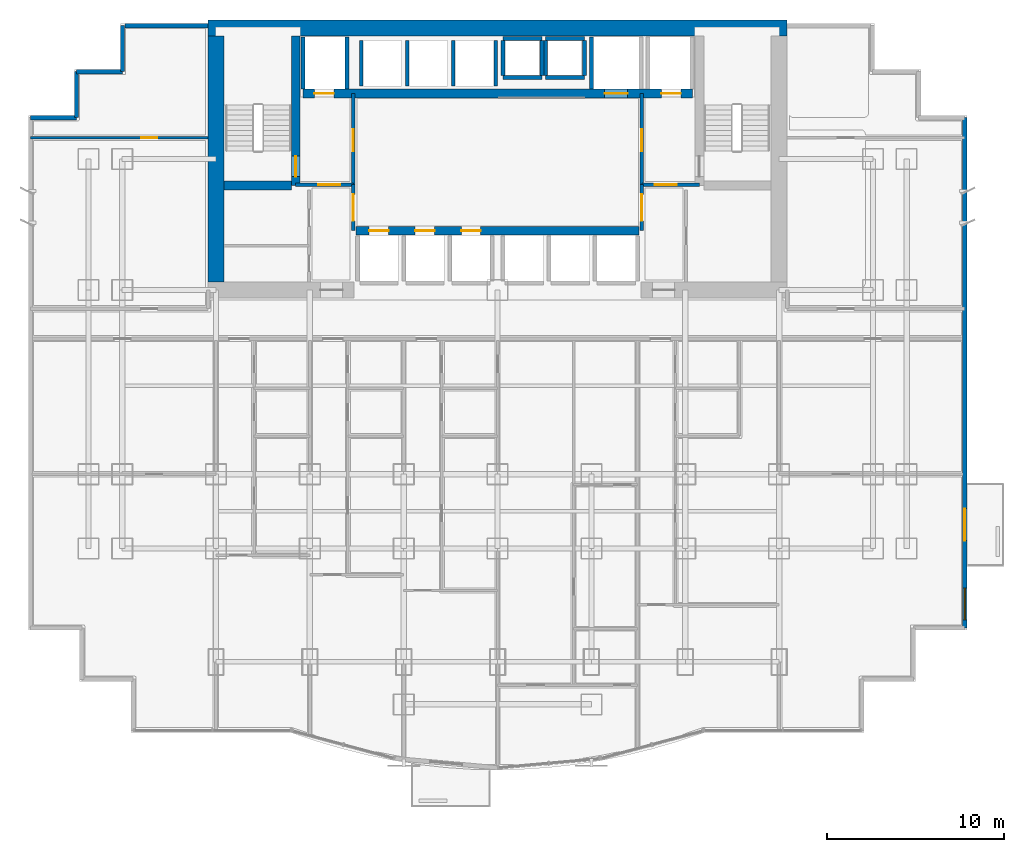
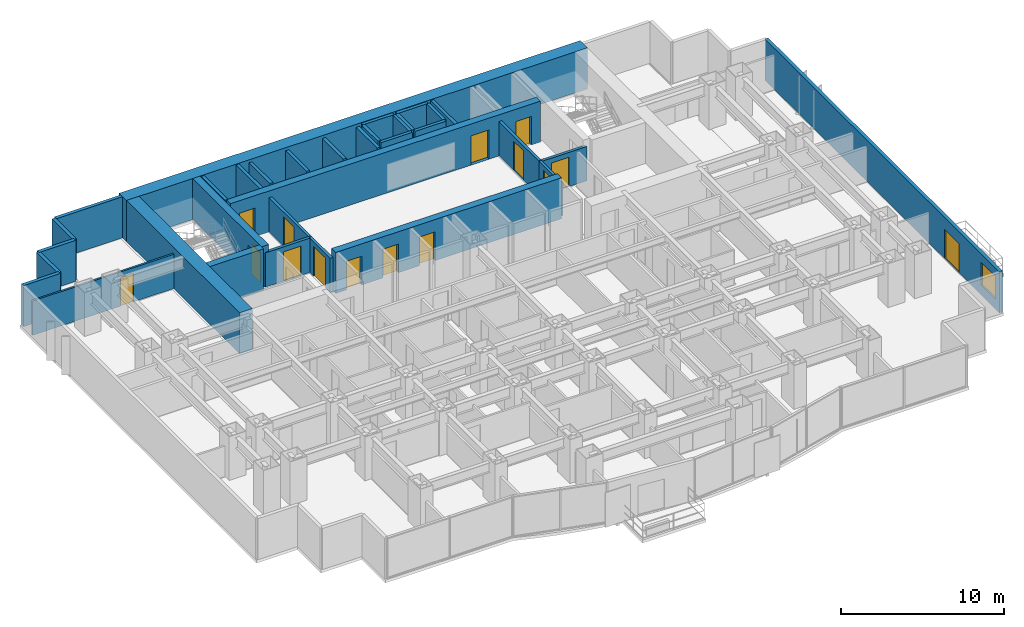
# One storey, part 7 of 10: 34 walls, 15 doors, 1 window, 16 openings.
"""IFC4 building model written with IfcOpenShell, lengths in metres."""

from ifc_helpers import new_model, si_unit, direction, frame, frame_2d, origin, place, context, subcontext, project, spatial, rectangle, extrude, material, layer, layer_set, type_object, element, fill, save


model = new_model("IFC4")

# Units and contexts
model_context = context("Model", 3, precision=1e-05, world=origin(), true_north=direction((0.0, 1.0)))
body_context = subcontext(model_context, "Body", "Model", "MODEL_VIEW")
ifc_project = project(units=[si_unit("LENGTHUNIT", "METRE"), si_unit("AREAUNIT", "SQUARE_METRE"), si_unit("VOLUMEUNIT", "CUBIC_METRE"), si_unit("PLANEANGLEUNIT", "RADIAN"), si_unit("MASSUNIT", "GRAM", prefix="KILO")], contexts=[model_context])

# Site, building, storey
site_placement = place(None, origin())
site = spatial("IfcSite", under=ifc_project, at=site_placement, CompositionType="ELEMENT")
building_placement = place(site_placement, origin())
building = spatial("IfcBuilding", under=site, at=building_placement, Name="Qianlan Lanfeng Residences", CompositionType="ELEMENT")
storey_placement = place(building_placement, frame((0.0, 0.0, 34.10009765625)))
storey = spatial("IfcBuildingStorey", under=building, at=storey_placement, Name="L08", CompositionType="ELEMENT", Elevation=34.10009765625)

# Wall, opening, door
ifc_material_1 = material(Name="Concrete C70", Category="concrete")
ifc_layer_1 = layer(ifc_material_1, 0.5)
ifc_layer_set_1 = layer_set([ifc_layer_1], Name="Concrete C70")
wall_type_1 = type_object("IfcWallType", Name="CW-RC-500", PredefinedType="SHEAR", material=ifc_layer_set_1)
wall_1_placement = place(storey_placement, frame((15.10009765625, 31.10009765625, 0.0), z_axis=(0.0, 0.0, 1.0), x_axis=(0.0, 1.0, 0.0)))
wall_1 = element("IfcWall", 1, at=wall_1_placement, inside=storey, type_object=wall_type_1, Name="L08 Core Shear Wall ST1E", PredefinedType="SHEAR", context=body_context, shape_type="SweptSolid", body=[
    extrude(rectangle(XDim=8.449951171875, YDim=0.5, at=frame_2d((4.22509765625, 0.0))), origin(), (0.0, 0.0, 1.0), 3.079833984375),
])
opening_1_placement = place(wall_1_placement, frame((0.510009765625, 0.0, 0.0)))
opening_1 = element("IfcOpeningElement", 2, at=opening_1_placement, cuts=wall_1, Name="Opening L08-D07", PredefinedType="OPENING", context=body_context, shape_type="SweptSolid", body=[
    extrude(rectangle(XDim=1.14990234375, YDim=2.199951171875, at=frame_2d((0.574951171875, 1.10009765625))), frame((0.0, 0.260009765625, 0.0), z_axis=(0.0, -1.0, 0.0), x_axis=(1.0, 0.0, 0.0)), (0.0, 0.0, 1.0), 0.52001953125),
])
ifc_material_2 = material(Name="Painted Galvanised Steel Fire Door", Category="steel")
door_type_1 = type_object("IfcDoorType", Name="DT-ST1", OperationType="NOTDEFINED", PredefinedType="DOOR", material=ifc_material_2)
door_1_placement = place(opening_1_placement, frame((1.14990234375, 0.0, 0.0), z_axis=(0.0, 0.0, 1.0), x_axis=(-1.0, 0.0, 0.0)))
door_1 = element("IfcDoor", 3, at=door_1_placement, inside=storey, type_object=door_type_1, Name="L08 Exit Stair ST-1 Door L08-D07 (DT-ST1)", OperationType="SINGLE_SWING_RIGHT", OverallHeight=2.199951171875, OverallWidth=1.14990234375, PredefinedType="DOOR", context=body_context, shape_type="SweptSolid", body=[
    extrude(rectangle(XDim=1.14990234375, YDim=2.199951171875, at=frame_2d((0.574951171875, 1.10009765625))), frame((0.0, 0.02490234375, 0.0), z_axis=(0.0, -1.0, 0.0), x_axis=(1.0, 0.0, 0.0)), (0.0, 0.0, 1.0), 0.050048828125),
])
fill(opening_1, door_1)

# Wall
wall_2_placement = place(storey_placement, frame((11.050048828125, 31.10009765625, 0.0), z_axis=(0.0, 0.0, 1.0), x_axis=(1.0, 0.0, 0.0)))
element("IfcWall", 4, at=wall_2_placement, inside=storey, type_object=wall_type_1, Name="L08 Core Shear Wall ST1S", PredefinedType="SHEAR", context=body_context, shape_type="SweptSolid", body=[
    extrude(rectangle(XDim=3.800048828125, YDim=0.5, at=frame_2d((1.89990234375, 0.0))), origin(), (0.0, 0.0, 1.0), 3.079833984375),
])

# Wall, openings, doors
wall_3_placement = place(storey_placement, frame((15.5, 36.300048828125, 0.0), z_axis=(0.0, 0.0, 1.0), x_axis=(1.0, 0.0, 0.0)))
wall_3 = element("IfcWall", 5, at=wall_3_placement, inside=storey, type_object=wall_type_1, Name="L08 Core Shear Wall LBN", PredefinedType="SHEAR", context=body_context, shape_type="SweptSolid", body=[
    extrude(rectangle(XDim=22.0, YDim=0.5, at=frame_2d((11.0, 0.0))), origin(), (0.0, 0.0, 1.0), 3.079833984375),
])
opening_2_placement = place(wall_3_placement, frame((0.64990234375, 0.0, 0.0)))
opening_2 = element("IfcOpeningElement", 6, at=opening_2_placement, cuts=wall_3, Name="Opening L08-LD-FFL-1", PredefinedType="OPENING", context=body_context, shape_type="SweptSolid", body=[
    extrude(rectangle(XDim=1.10009765625, YDim=2.14990234375, at=frame_2d((0.550048828125, 1.074951171875))), frame((0.0, 0.260009765625, 0.0), z_axis=(0.0, -1.0, 0.0), x_axis=(1.0, 0.0, 0.0)), (0.0, 0.0, 1.0), 0.52001953125),
])
opening_3_placement = place(wall_3_placement, frame((20.25, 0.0, 0.0)))
opening_3 = element("IfcOpeningElement", 7, at=opening_3_placement, cuts=wall_3, Name="Opening L08-LD-FFL-2", PredefinedType="OPENING", context=body_context, shape_type="SweptSolid", body=[
    extrude(rectangle(XDim=1.10009765625, YDim=2.14990234375, at=frame_2d((0.550048828125, 1.074951171875))), frame((0.0, 0.260009765625, 0.0), z_axis=(0.0, -1.0, 0.0), x_axis=(1.0, 0.0, 0.0)), (0.0, 0.0, 1.0), 0.52001953125),
])
opening_4_placement = place(wall_3_placement, frame((17.050048828125, 0.0, 0.0)))
opening_4 = element("IfcOpeningElement", 8, at=opening_4_placement, cuts=wall_3, Name="Opening L08-LD-SVL-1", PredefinedType="OPENING", context=body_context, shape_type="SweptSolid", body=[
    extrude(rectangle(XDim=1.300048828125, YDim=2.199951171875, at=frame_2d((0.64990234375, 1.10009765625))), frame((0.0, 0.260009765625, 0.0), z_axis=(0.0, -1.0, 0.0), x_axis=(1.0, 0.0, 0.0)), (0.0, 0.0, 1.0), 0.52001953125),
])
ifc_material_3 = material(Name="Brushed Stainless Steel Sliding Lift Door", Category="steel")
door_type_2 = type_object("IfcDoorType", Name="LD-01", OperationType="NOTDEFINED", PredefinedType="DOOR", material=ifc_material_3)
door_2_placement = place(opening_2_placement, frame((1.10009765625, 0.0, 0.0), z_axis=(0.0, 0.0, 1.0), x_axis=(-1.0, 0.0, 0.0)))
door_2 = element("IfcDoor", 9, at=door_2_placement, inside=storey, type_object=door_type_2, Name="L08 Elevator FFL-1 Sliding Landing Door", OperationType="DOUBLE_DOOR_SLIDING", OverallHeight=2.14990234375, OverallWidth=1.10009765625, PredefinedType="DOOR", context=body_context, shape_type="SweptSolid", body=[
    extrude(rectangle(XDim=1.10009765625, YDim=2.14990234375, at=frame_2d((0.550048828125, 1.074951171875))), frame((0.0, 0.02490234375, 0.0), z_axis=(0.0, -1.0, 0.0), x_axis=(1.0, 0.0, 0.0)), (0.0, 0.0, 1.0), 0.050048828125),
])
fill(opening_2, door_2)
door_3_placement = place(opening_3_placement, frame((1.10009765625, 0.0, 0.0), z_axis=(0.0, 0.0, 1.0), x_axis=(-1.0, 0.0, 0.0)))
door_3 = element("IfcDoor", 10, at=door_3_placement, inside=storey, type_object=door_type_2, Name="L08 Elevator FFL-2 Sliding Landing Door", OperationType="DOUBLE_DOOR_SLIDING", OverallHeight=2.14990234375, OverallWidth=1.10009765625, PredefinedType="DOOR", context=body_context, shape_type="SweptSolid", body=[
    extrude(rectangle(XDim=1.10009765625, YDim=2.14990234375, at=frame_2d((0.550048828125, 1.074951171875))), frame((0.0, 0.02490234375, 0.0), z_axis=(0.0, -1.0, 0.0), x_axis=(1.0, 0.0, 0.0)), (0.0, 0.0, 1.0), 0.050048828125),
])
fill(opening_3, door_3)
door_type_3 = type_object("IfcDoorType", Name="LD-02", OperationType="NOTDEFINED", PredefinedType="DOOR", material=ifc_material_3)
door_4_placement = place(opening_4_placement, frame((1.300048828125, 0.0, 0.0), z_axis=(0.0, 0.0, 1.0), x_axis=(-1.0, 0.0, 0.0)))
door_4 = element("IfcDoor", 11, at=door_4_placement, inside=storey, type_object=door_type_3, Name="L08 Elevator SVL-1 Sliding Landing Door", OperationType="DOUBLE_DOOR_SLIDING", OverallHeight=2.199951171875, OverallWidth=1.300048828125, PredefinedType="DOOR", context=body_context, shape_type="SweptSolid", body=[
    extrude(rectangle(XDim=1.300048828125, YDim=2.199951171875, at=frame_2d((0.64990234375, 1.10009765625))), frame((0.0, 0.02490234375, 0.0), z_axis=(0.0, -1.0, 0.0), x_axis=(1.0, 0.0, 0.0)), (0.0, 0.0, 1.0), 0.050048828125),
])
fill(opening_4, door_4)

wall_4_placement = place(storey_placement, frame((18.5, 28.550048828125, 0.0), z_axis=(0.0, 0.0, 1.0), x_axis=(1.0, 0.0, 0.0)))
wall_4 = element("IfcWall", 12, at=wall_4_placement, inside=storey, type_object=wall_type_1, Name="L08 Core Shear Wall LBS", PredefinedType="SHEAR", context=body_context, shape_type="SweptSolid", body=[
    extrude(rectangle(XDim=16.0, YDim=0.5, at=frame_2d((8.0, 0.0))), origin(), (0.0, 0.0, 1.0), 3.079833984375),
])
opening_5_placement = place(wall_4_placement, frame((0.75, 0.0, 0.0)))
opening_5 = element("IfcOpeningElement", 13, at=opening_5_placement, cuts=wall_4, Name="Opening L08-LD-PL-L1", PredefinedType="OPENING", context=body_context, shape_type="SweptSolid", body=[
    extrude(rectangle(XDim=1.10009765625, YDim=2.14990234375, at=frame_2d((0.550048828125, 1.074951171875))), frame((0.0, 0.260009765625, 0.0), z_axis=(0.0, -1.0, 0.0), x_axis=(1.0, 0.0, 0.0)), (0.0, 0.0, 1.0), 0.52001953125),
])
opening_6_placement = place(wall_4_placement, frame((3.35009765625, 0.0, 0.0)))
opening_6 = element("IfcOpeningElement", 14, at=opening_6_placement, cuts=wall_4, Name="Opening L08-LD-PL-L2", PredefinedType="OPENING", context=body_context, shape_type="SweptSolid", body=[
    extrude(rectangle(XDim=1.10009765625, YDim=2.14990234375, at=frame_2d((0.550048828125, 1.074951171875))), frame((0.0, 0.260009765625, 0.0), z_axis=(0.0, -1.0, 0.0), x_axis=(1.0, 0.0, 0.0)), (0.0, 0.0, 1.0), 0.52001953125),
])
opening_7_placement = place(wall_4_placement, frame((5.949951171875, 0.0, 0.0)))
opening_7 = element("IfcOpeningElement", 15, at=opening_7_placement, cuts=wall_4, Name="Opening L08-LD-PL-L3", PredefinedType="OPENING", context=body_context, shape_type="SweptSolid", body=[
    extrude(rectangle(XDim=1.10009765625, YDim=2.14990234375, at=frame_2d((0.550048828125, 1.074951171875))), frame((0.0, 0.260009765625, 0.0), z_axis=(0.0, -1.0, 0.0), x_axis=(1.0, 0.0, 0.0)), (0.0, 0.0, 1.0), 0.52001953125),
])
door_5_placement = place(opening_5_placement, origin())
door_5 = element("IfcDoor", 16, at=door_5_placement, inside=storey, type_object=door_type_2, Name="L08 Elevator PL-L1 Sliding Landing Door", OperationType="DOUBLE_DOOR_SLIDING", OverallHeight=2.14990234375, OverallWidth=1.10009765625, PredefinedType="DOOR", context=body_context, shape_type="SweptSolid", body=[
    extrude(rectangle(XDim=1.10009765625, YDim=2.14990234375, at=frame_2d((0.550048828125, 1.074951171875))), frame((0.0, 0.02490234375, 0.0), z_axis=(0.0, -1.0, 0.0), x_axis=(1.0, 0.0, 0.0)), (0.0, 0.0, 1.0), 0.050048828125),
])
fill(opening_5, door_5)
door_6_placement = place(opening_6_placement, origin())
door_6 = element("IfcDoor", 17, at=door_6_placement, inside=storey, type_object=door_type_2, Name="L08 Elevator PL-L2 Sliding Landing Door", OperationType="DOUBLE_DOOR_SLIDING", OverallHeight=2.14990234375, OverallWidth=1.10009765625, PredefinedType="DOOR", context=body_context, shape_type="SweptSolid", body=[
    extrude(rectangle(XDim=1.10009765625, YDim=2.14990234375, at=frame_2d((0.550048828125, 1.074951171875))), frame((0.0, 0.02490234375, 0.0), z_axis=(0.0, -1.0, 0.0), x_axis=(1.0, 0.0, 0.0)), (0.0, 0.0, 1.0), 0.050048828125),
])
fill(opening_6, door_6)
door_7_placement = place(opening_7_placement, origin())
door_7 = element("IfcDoor", 18, at=door_7_placement, inside=storey, type_object=door_type_2, Name="L08 Elevator PL-L3 Sliding Landing Door", OperationType="DOUBLE_DOOR_SLIDING", OverallHeight=2.14990234375, OverallWidth=1.10009765625, PredefinedType="DOOR", context=body_context, shape_type="SweptSolid", body=[
    extrude(rectangle(XDim=1.10009765625, YDim=2.14990234375, at=frame_2d((0.550048828125, 1.074951171875))), frame((0.0, 0.02490234375, 0.0), z_axis=(0.0, -1.0, 0.0), x_axis=(1.0, 0.0, 0.0)), (0.0, 0.0, 1.0), 0.050048828125),
])
fill(opening_7, door_7)

# Walls
ifc_layer_2 = layer(ifc_material_1, 0.89990234375)
ifc_layer_set_2 = layer_set([ifc_layer_2], Name="Concrete C70")
wall_type_2 = type_object("IfcWallType", Name="CW-RC-900", PredefinedType="SHEAR", material=ifc_layer_set_2)
wall_5_placement = place(storey_placement, frame((10.14990234375, 40.0, 0.0), z_axis=(0.0, 0.0, 1.0), x_axis=(1.0, 0.0, 0.0)))
element("IfcWall", 19, at=wall_5_placement, inside=storey, type_object=wall_type_2, Name="L08 Core Shear Wall N", PredefinedType="SHEAR", context=body_context, shape_type="SweptSolid", body=[
    extrude(rectangle(XDim=32.7001953125, YDim=0.89990234375, at=frame_2d((16.35009765625, 0.0))), origin(), (0.0, 0.0, 1.0), 3.079833984375),
])
wall_6_placement = place(storey_placement, frame((10.60009765625, 25.64990234375, 0.0), z_axis=(0.0, 0.0, 1.0), x_axis=(0.0, 1.0, 0.0)))
element("IfcWall", 20, at=wall_6_placement, inside=storey, type_object=wall_type_2, Name="L08 Core Shear Wall W", PredefinedType="SHEAR", context=body_context, shape_type="SweptSolid", body=[
    extrude(rectangle(XDim=13.900146484375, YDim=0.89990234375, at=frame_2d((6.9501953125, 0.0))), origin(), (0.0, 0.0, 1.0), 3.079833984375),
])

# Wall, openings, door, window
ifc_material_4 = material(Name="Concrete C42", Category="concrete")
ifc_layer_3 = layer(ifc_material_4, 0.239990234375)
ifc_layer_set_3 = layer_set([ifc_layer_3], Name="Concrete C42")
wall_type_3 = type_object("IfcWallType", Name="EW-240", PredefinedType="SOLIDWALL", material=ifc_layer_set_3)
wall_7_placement = place(storey_placement, frame((52.8798828125, 6.1201171875, 0.0), z_axis=(0.0, 0.0, 1.0), x_axis=(0.0, 1.0, 0.0)))
wall_7 = element("IfcWall", 21, at=wall_7_placement, inside=storey, type_object=wall_type_3, Name="L08 Terrace/Balcony Access Exterior Wall 10", PredefinedType="SOLIDWALL", context=body_context, shape_type="SweptSolid", body=[
    extrude(rectangle(XDim=28.809814453125, YDim=0.239990234375, at=frame_2d((14.40478515625, 0.0))), origin(), (0.0, 0.0, 1.0), 3.079833984375),
])
opening_8_placement = place(wall_7_placement, frame((4.929931640625, 0.0, 0.0)))
opening_8 = element("IfcOpeningElement", 22, at=opening_8_placement, cuts=wall_7, Name="Opening L08-D-EB-S", PredefinedType="OPENING", context=body_context, shape_type="SweptSolid", body=[
    extrude(rectangle(XDim=1.800048828125, YDim=2.199951171875, at=frame_2d((0.89990234375, 1.10009765625))), frame((0.0, 0.1298828125, 0.0), z_axis=(0.0, -1.0, 0.0), x_axis=(1.0, 0.0, 0.0)), (0.0, 0.0, 1.0), 0.260009765625),
])
opening_9_placement = place(wall_7_placement, frame((0.449951171875, 0.0, 0.75)))
opening_9 = element("IfcOpeningElement", 23, at=opening_9_placement, cuts=wall_7, Name="Opening W-01", PredefinedType="OPENING", context=body_context, shape_type="SweptSolid", body=[
    extrude(rectangle(XDim=1.800048828125, YDim=1.699951171875, at=frame_2d((0.89990234375, 0.85009765625))), frame((0.0, 0.1298828125, 0.0), z_axis=(0.0, -1.0, 0.0), x_axis=(1.0, 0.0, 0.0)), (0.0, 0.0, 1.0), 0.260009765625),
])
ifc_material_5 = material(Name="Anodised Bronze Aluminium Framed Glass", Category="aluminium")
door_type_4 = type_object("IfcDoorType", Name="DT-BAL1", OperationType="NOTDEFINED", PredefinedType="DOOR", material=ifc_material_5)
door_8_placement = place(opening_8_placement, frame((1.800048828125, 0.0, 0.0), z_axis=(0.0, 0.0, 1.0), x_axis=(-1.0, 0.0, 0.0)))
door_8 = element("IfcDoor", 24, at=door_8_placement, inside=storey, type_object=door_type_4, Name="L08 Exterior Access Door EB-S", OperationType="DOUBLE_DOOR_SLIDING", OverallHeight=2.199951171875, OverallWidth=1.800048828125, PredefinedType="DOOR", context=body_context, shape_type="SweptSolid", body=[
    extrude(rectangle(XDim=1.800048828125, YDim=2.199951171875, at=frame_2d((0.89990234375, 1.10009765625))), frame((0.0, 0.02490234375, 0.0), z_axis=(0.0, -1.0, 0.0), x_axis=(1.0, 0.0, 0.0)), (0.0, 0.0, 1.0), 0.050048828125),
])
fill(opening_8, door_8)
ifc_material_6 = material(Name="Anodised Bronze Aluminium Framed Double Glazing", Category="aluminium")
window_type = type_object("IfcWindowType", Name="W-01", PartitioningType="SINGLE_PANEL", PredefinedType="WINDOW", material=ifc_material_6)
window_placement = place(opening_9_placement, origin())
window = element("IfcWindow", 25, at=window_placement, inside=storey, type_object=window_type, Name="L08 Exterior Window W-01", OverallHeight=1.699951171875, OverallWidth=1.800048828125, PartitioningType="SINGLE_PANEL", PredefinedType="WINDOW", context=body_context, shape_type="SweptSolid", body=[
    extrude(rectangle(XDim=1.800048828125, YDim=1.699951171875, at=frame_2d((0.89990234375, 0.85009765625))), frame((0.0, 0.030029296875, 0.0), z_axis=(0.0, -1.0, 0.0), x_axis=(1.0, 0.0, 0.0)), (0.0, 0.0, 1.0), 0.06005859375),
])
fill(opening_9, window)

# Walls
wall_8_placement = place(storey_placement, frame((10.14990234375, 40.1298828125, 0.0), z_axis=(0.0, 0.0, 1.0), x_axis=(-1.0, 0.0, 0.0)))
element("IfcWall", 26, at=wall_8_placement, inside=storey, type_object=wall_type_3, Name="L08 North Wing Exterior Wall W", PredefinedType="SOLIDWALL", context=body_context, shape_type="SweptSolid", body=[
    extrude(rectangle(XDim=4.699951171875, YDim=0.239990234375, at=frame_2d((2.35009765625, 0.0))), origin(), (0.0, 0.0, 1.0), 3.079833984375),
])
wall_9_placement = place(storey_placement, frame((5.320068359375, 40.1298828125, 0.0), z_axis=(0.0, 0.0, 1.0), x_axis=(0.0, -1.0, 0.0)))
element("IfcWall", 27, at=wall_9_placement, inside=storey, type_object=wall_type_3, Name="L08 Exterior Facade Spandrel Wall 17", PredefinedType="SOLIDWALL", context=body_context, shape_type="SweptSolid", body=[
    extrude(rectangle(XDim=2.599853515625, YDim=0.239990234375, at=frame_2d((1.2998046875, 0.0))), origin(), (0.0, 0.0, 1.0), 3.079833984375),
])
for number, where, z_axis, x_axis, name in (
    (28, (5.320068359375, 37.530029296875, 0.0), (0.0, 0.0, 1.0), (-1.0, 0.0, 0.0), "L08 Exterior Facade Spandrel Wall 18"),
    (29, (2.719970703125, 37.530029296875, 0.0), (0.0, 0.0, 1.0), (0.0, -1.0, 0.0), "L08 Exterior Facade Spandrel Wall 19"),
):
    element("IfcWall", number, at=place(storey_placement, frame(where, z_axis=z_axis, x_axis=x_axis)), inside=storey, type_object=wall_type_3, Name=name, PredefinedType="SOLIDWALL", context=body_context, shape_type="SweptSolid", body=[
        extrude(rectangle(XDim=2.60009765625, YDim=0.239990234375, at=frame_2d((1.300048828125, 0.0))), origin(), (0.0, 0.0, 1.0), 3.079833984375),
    ])
wall_10_placement = place(storey_placement, frame((2.719970703125, 34.929931640625, 0.0), z_axis=(0.0, 0.0, 1.0), x_axis=(-1.0, 0.0, 0.0)))
element("IfcWall", 30, at=wall_10_placement, inside=storey, type_object=wall_type_3, Name="L08 Exterior Facade Spandrel Wall 20", PredefinedType="SOLIDWALL", context=body_context, shape_type="SweptSolid", body=[
    extrude(rectangle(XDim=2.599853515625, YDim=0.239990234375, at=frame_2d((1.2998046875, 0.0))), origin(), (0.0, 0.0, 1.0), 3.079833984375),
])

# Wall, opening, door
ifc_material_7 = material(Name="Moisture-Resistant Gypsum Partition 135 mm")
ifc_layer_4 = layer(ifc_material_7, 0.135009765625)
ifc_layer_set_4 = layer_set([ifc_layer_4], Name="Moisture-Resistant Gypsum Partition 135 mm")
wall_type_4 = type_object("IfcWallType", Name="PW-135", PredefinedType="PARTITIONING", material=ifc_layer_set_4)
wall_11_placement = place(storey_placement, frame((0.1201171875, 33.800048828125, 0.0), z_axis=(0.0, 0.0, 1.0), x_axis=(1.0, 0.0, 0.0)))
wall_11 = element("IfcWall", 31, at=wall_11_placement, inside=storey, type_object=wall_type_4, Name="L08 WW North Wing Wall", PredefinedType="PARTITIONING", context=body_context, shape_type="SweptSolid", body=[
    extrude(rectangle(XDim=10.02978515625, YDim=0.135009765625, at=frame_2d((5.014892578125, 0.0))), origin(), (0.0, 0.0, 1.0), 2.56982421875),
])
opening_10_placement = place(wall_11_placement, frame((6.2548828125, 0.0, 0.0)))
opening_10 = element("IfcOpeningElement", 32, at=opening_10_placement, cuts=wall_11, Name="Opening L08-D43", PredefinedType="OPENING", context=body_context, shape_type="SweptSolid", body=[
    extrude(rectangle(XDim=0.919921875, YDim=2.14990234375, at=frame_2d((0.4599609375, 1.074951171875))), frame((0.0, 0.07763671875, 0.0), z_axis=(0.0, -1.0, 0.0), x_axis=(1.0, 0.0, 0.0)), (0.0, 0.0, 1.0), 0.155029296875),
])
ifc_material_8 = material(Name="Glazed Timber Kitchen/Study Door", Category="wood")
door_type_5 = type_object("IfcDoorType", Name="DT-INT", OperationType="NOTDEFINED", PredefinedType="DOOR", material=ifc_material_8)
door_9_placement = place(opening_10_placement, origin())
door_9 = element("IfcDoor", 33, at=door_9_placement, inside=storey, type_object=door_type_5, Name="L08 WW Inner Salon Door L08-D43 (DT-INT)", OperationType="SINGLE_SWING_LEFT", OverallHeight=2.14990234375, OverallWidth=0.919921875, PredefinedType="DOOR", context=body_context, shape_type="SweptSolid", body=[
    extrude(rectangle(XDim=0.919921875, YDim=2.14990234375, at=frame_2d((0.4599609375, 1.074951171875))), frame((0.0, 0.02490234375, 0.0), z_axis=(0.0, -1.0, 0.0), x_axis=(1.0, 0.0, 0.0)), (0.0, 0.0, 1.0), 0.050048828125),
])
fill(opening_10, door_9)

ifc_material_9 = material(Name="Autoclaved Aerated Concrete Blockwork 200 mm", Category="masonry")
ifc_layer_5 = layer(ifc_material_9, 0.199951171875)
ifc_layer_set_5 = layer_set([ifc_layer_5], Name="Autoclaved Aerated Concrete Blockwork 200 mm")
wall_type_5 = type_object("IfcWallType", Name="PW-200", PredefinedType="PARTITIONING", material=ifc_layer_set_5)
wall_12_placement = place(storey_placement, frame((15.10009765625, 31.14990234375, 0.0), z_axis=(0.0, 0.0, 1.0), x_axis=(1.0, 0.0, 0.0)))
wall_12 = element("IfcWall", 34, at=wall_12_placement, inside=storey, type_object=wall_type_5, Name="L08 Firefighting Lobby 1 South Wall", PredefinedType="PARTITIONING", context=body_context, shape_type="SweptSolid", body=[
    extrude(rectangle(XDim=3.25, YDim=0.199951171875, at=frame_2d((1.625, 0.0))), origin(), (0.0, 0.0, 1.0), 2.56982421875),
])
opening_11_placement = place(wall_12_placement, frame((1.27490234375, 0.0, 0.0)))
opening_11 = element("IfcOpeningElement", 35, at=opening_11_placement, cuts=wall_12, Name="Opening L08-D03", PredefinedType="OPENING", context=body_context, shape_type="SweptSolid", body=[
    extrude(rectangle(XDim=1.25, YDim=2.199951171875, at=frame_2d((0.625, 1.10009765625))), frame((0.0, 0.10986328125, 0.0), z_axis=(0.0, -1.0, 0.0), x_axis=(1.0, 0.0, 0.0)), (0.0, 0.0, 1.0), 0.219970703125),
])
door_type_6 = type_object("IfcDoorType", Name="DT-FFL", OperationType="NOTDEFINED", PredefinedType="DOOR", material=ifc_material_2)
door_10_placement = place(opening_11_placement, origin())
door_10 = element("IfcDoor", 36, at=door_10_placement, inside=storey, type_object=door_type_6, Name="L08 Firefighting Lobby 1 Entry Door L08-D03 (DT-FFL)", OperationType="SINGLE_SWING_LEFT", OverallHeight=2.199951171875, OverallWidth=1.25, PredefinedType="DOOR", context=body_context, shape_type="SweptSolid", body=[
    extrude(rectangle(XDim=1.25, YDim=2.199951171875, at=frame_2d((0.625, 1.10009765625))), frame((0.0, 0.02490234375, 0.0), z_axis=(0.0, -1.0, 0.0), x_axis=(1.0, 0.0, 0.0)), (0.0, 0.0, 1.0), 0.050048828125),
])
fill(opening_11, door_10)

wall_13_placement = place(storey_placement, frame((18.35009765625, 31.14990234375, 0.0), z_axis=(0.0, 0.0, 1.0), x_axis=(0.0, 1.0, 0.0)))
wall_13 = element("IfcWall", 37, at=wall_13_placement, inside=storey, type_object=wall_type_5, Name="L08 Firefighting Lobby 1 East Wall", PredefinedType="PARTITIONING", context=body_context, shape_type="SweptSolid", body=[
    extrude(rectangle(XDim=5.150146484375, YDim=0.199951171875, at=frame_2d((2.5751953125, 0.0))), origin(), (0.0, 0.0, 1.0), 2.56982421875),
])
opening_12_placement = place(wall_13_placement, frame((1.875, 0.0, 0.0)))
opening_12 = element("IfcOpeningElement", 38, at=opening_12_placement, cuts=wall_13, Name="Opening L08-D04", PredefinedType="OPENING", context=body_context, shape_type="SweptSolid", body=[
    extrude(rectangle(XDim=1.25, YDim=2.199951171875, at=frame_2d((0.625, 1.10009765625))), frame((0.0, 0.10986328125, 0.0), z_axis=(0.0, -1.0, 0.0), x_axis=(1.0, 0.0, 0.0)), (0.0, 0.0, 1.0), 0.219970703125),
])
door_11_placement = place(opening_12_placement, origin())
door_11 = element("IfcDoor", 39, at=door_11_placement, inside=storey, type_object=door_type_6, Name="L08 Firefighting Lobby 1 Lift Lobby Door L08-D04 (DT-FFL)", OperationType="SINGLE_SWING_RIGHT", OverallHeight=2.199951171875, OverallWidth=1.25, PredefinedType="DOOR", context=body_context, shape_type="SweptSolid", body=[
    extrude(rectangle(XDim=1.25, YDim=2.199951171875, at=frame_2d((0.625, 1.10009765625))), frame((0.0, 0.02490234375, 0.0), z_axis=(0.0, -1.0, 0.0), x_axis=(1.0, 0.0, 0.0)), (0.0, 0.0, 1.0), 0.050048828125),
])
fill(opening_12, door_11)

wall_14_placement = place(storey_placement, frame((34.64990234375, 31.14990234375, 0.0), z_axis=(0.0, 0.0, 1.0), x_axis=(1.0, 0.0, 0.0)))
wall_14 = element("IfcWall", 40, at=wall_14_placement, inside=storey, type_object=wall_type_5, Name="L08 Firefighting Lobby 2 South Wall", PredefinedType="PARTITIONING", context=body_context, shape_type="SweptSolid", body=[
    extrude(rectangle(XDim=3.25, YDim=0.199951171875, at=frame_2d((1.625, 0.0))), origin(), (0.0, 0.0, 1.0), 2.56982421875),
])
opening_13_placement = place(wall_14_placement, frame((0.72509765625, 0.0, 0.0)))
opening_13 = element("IfcOpeningElement", 41, at=opening_13_placement, cuts=wall_14, Name="Opening L08-D05", PredefinedType="OPENING", context=body_context, shape_type="SweptSolid", body=[
    extrude(rectangle(XDim=1.25, YDim=2.199951171875, at=frame_2d((0.625, 1.10009765625))), frame((0.0, 0.10986328125, 0.0), z_axis=(0.0, -1.0, 0.0), x_axis=(1.0, 0.0, 0.0)), (0.0, 0.0, 1.0), 0.219970703125),
])
door_12_placement = place(opening_13_placement, origin())
door_12 = element("IfcDoor", 42, at=door_12_placement, inside=storey, type_object=door_type_6, Name="L08 Firefighting Lobby 2 Entry Door L08-D05 (DT-FFL)", OperationType="SINGLE_SWING_RIGHT", OverallHeight=2.199951171875, OverallWidth=1.25, PredefinedType="DOOR", context=body_context, shape_type="SweptSolid", body=[
    extrude(rectangle(XDim=1.25, YDim=2.199951171875, at=frame_2d((0.625, 1.10009765625))), frame((0.0, 0.02490234375, 0.0), z_axis=(0.0, -1.0, 0.0), x_axis=(1.0, 0.0, 0.0)), (0.0, 0.0, 1.0), 0.050048828125),
])
fill(opening_13, door_12)

wall_15_placement = place(storey_placement, frame((34.64990234375, 31.14990234375, 0.0), z_axis=(0.0, 0.0, 1.0), x_axis=(0.0, 1.0, 0.0)))
wall_15 = element("IfcWall", 43, at=wall_15_placement, inside=storey, type_object=wall_type_5, Name="L08 Firefighting Lobby 2 West Wall", PredefinedType="PARTITIONING", context=body_context, shape_type="SweptSolid", body=[
    extrude(rectangle(XDim=5.150146484375, YDim=0.199951171875, at=frame_2d((2.5751953125, 0.0))), origin(), (0.0, 0.0, 1.0), 2.56982421875),
])
opening_14_placement = place(wall_15_placement, frame((1.875, 0.0, 0.0)))
opening_14 = element("IfcOpeningElement", 44, at=opening_14_placement, cuts=wall_15, Name="Opening L08-D06", PredefinedType="OPENING", context=body_context, shape_type="SweptSolid", body=[
    extrude(rectangle(XDim=1.25, YDim=2.199951171875, at=frame_2d((0.625, 1.10009765625))), frame((0.0, 0.10986328125, 0.0), z_axis=(0.0, -1.0, 0.0), x_axis=(1.0, 0.0, 0.0)), (0.0, 0.0, 1.0), 0.219970703125),
])
door_13_placement = place(opening_14_placement, origin())
door_13 = element("IfcDoor", 45, at=door_13_placement, inside=storey, type_object=door_type_6, Name="L08 Firefighting Lobby 2 Lift Lobby Door L08-D06 (DT-FFL)", OperationType="SINGLE_SWING_RIGHT", OverallHeight=2.199951171875, OverallWidth=1.25, PredefinedType="DOOR", context=body_context, shape_type="SweptSolid", body=[
    extrude(rectangle(XDim=1.25, YDim=2.199951171875, at=frame_2d((0.625, 1.10009765625))), frame((0.0, 0.02490234375, 0.0), z_axis=(0.0, -1.0, 0.0), x_axis=(1.0, 0.0, 0.0)), (0.0, 0.0, 1.0), 0.050048828125),
])
fill(opening_14, door_13)

wall_16_placement = place(storey_placement, frame((18.35009765625, 28.550048828125, 0.0), z_axis=(0.0, 0.0, 1.0), x_axis=(0.0, 1.0, 0.0)))
wall_16 = element("IfcWall", 46, at=wall_16_placement, inside=storey, type_object=wall_type_5, Name="L08 Lift Lobby West Connector Wall", PredefinedType="PARTITIONING", context=body_context, shape_type="SweptSolid", body=[
    extrude(rectangle(XDim=2.599853515625, YDim=0.199951171875, at=frame_2d((1.2998046875, 0.0))), origin(), (0.0, 0.0, 1.0), 2.56982421875),
])
opening_15_placement = place(wall_16_placement, frame((0.550048828125, 0.0, 0.0)))
opening_15 = element("IfcOpeningElement", 47, at=opening_15_placement, cuts=wall_16, Name="Opening L08-D12", PredefinedType="OPENING", context=body_context, shape_type="SweptSolid", body=[
    extrude(rectangle(XDim=1.5, YDim=2.25, at=frame_2d((0.75, 1.125))), frame((0.0, 0.10986328125, 0.0), z_axis=(0.0, -1.0, 0.0), x_axis=(1.0, 0.0, 0.0)), (0.0, 0.0, 1.0), 0.219970703125),
])
ifc_material_10 = material(Name="Timber Veneer Acoustic Fire Door", Category="wood")
door_type_7 = type_object("IfcDoorType", Name="DT-COR1", OperationType="NOTDEFINED", PredefinedType="DOOR", material=ifc_material_10)
door_14_placement = place(opening_15_placement, origin())
door_14 = element("IfcDoor", 48, at=door_14_placement, inside=storey, type_object=door_type_7, Name="L08 Lift Lobby West Portal Door L08-D12 (DT-COR1)", OperationType="DOUBLE_DOOR_SINGLE_SWING", OverallHeight=2.25, OverallWidth=1.5, PredefinedType="DOOR", context=body_context, shape_type="SweptSolid", body=[
    extrude(rectangle(XDim=1.5, YDim=2.25, at=frame_2d((0.75, 1.125))), frame((0.0, 0.02490234375, 0.0), z_axis=(0.0, -1.0, 0.0), x_axis=(1.0, 0.0, 0.0)), (0.0, 0.0, 1.0), 0.050048828125),
])
fill(opening_15, door_14)

wall_17_placement = place(storey_placement, frame((34.64990234375, 28.550048828125, 0.0), z_axis=(0.0, 0.0, 1.0), x_axis=(0.0, 1.0, 0.0)))
wall_17 = element("IfcWall", 49, at=wall_17_placement, inside=storey, type_object=wall_type_5, Name="L08 Lift Lobby East Connector Wall", PredefinedType="PARTITIONING", context=body_context, shape_type="SweptSolid", body=[
    extrude(rectangle(XDim=2.599853515625, YDim=0.199951171875, at=frame_2d((1.2998046875, 0.0))), origin(), (0.0, 0.0, 1.0), 2.56982421875),
])
opening_16_placement = place(wall_17_placement, frame((0.550048828125, 0.0, 0.0)))
opening_16 = element("IfcOpeningElement", 50, at=opening_16_placement, cuts=wall_17, Name="Opening L08-D13", PredefinedType="OPENING", context=body_context, shape_type="SweptSolid", body=[
    extrude(rectangle(XDim=1.5, YDim=2.25, at=frame_2d((0.75, 1.125))), frame((0.0, 0.10986328125, 0.0), z_axis=(0.0, -1.0, 0.0), x_axis=(1.0, 0.0, 0.0)), (0.0, 0.0, 1.0), 0.219970703125),
])
door_15_placement = place(opening_16_placement, frame((1.5, 0.0, 0.0), z_axis=(0.0, 0.0, 1.0), x_axis=(-1.0, 0.0, 0.0)))
door_15 = element("IfcDoor", 51, at=door_15_placement, inside=storey, type_object=door_type_7, Name="L08 Lift Lobby East Portal Door L08-D13 (DT-COR1)", OperationType="DOUBLE_DOOR_SINGLE_SWING", OverallHeight=2.25, OverallWidth=1.5, PredefinedType="DOOR", context=body_context, shape_type="SweptSolid", body=[
    extrude(rectangle(XDim=1.5, YDim=2.25, at=frame_2d((0.75, 1.125))), frame((0.0, 0.02490234375, 0.0), z_axis=(0.0, -1.0, 0.0), x_axis=(1.0, 0.0, 0.0)), (0.0, 0.0, 1.0), 0.050048828125),
])
fill(opening_16, door_15)

# Walls
ifc_material_11 = material(Name="Concrete C49", Category="concrete")
ifc_layer_6 = layer(ifc_material_11, 0.219970703125)
ifc_layer_set_6 = layer_set([ifc_layer_6], Name="Concrete C49")
wall_type_6 = type_object("IfcWallType", Name="SHW-220", PredefinedType="SOLIDWALL", material=ifc_layer_set_6)
for number, where, z_axis, x_axis, name in (
    (52, (15.52001953125, 36.550048828125, 0.0), (0.0, 0.0, 1.0), (0.0, 1.0, 0.0), "L08 Lift FFL-1 Shaft Wall W"),
    (53, (18.0, 36.550048828125, 0.0), (0.0, 0.0, 1.0), (0.0, 1.0, 0.0), "L08 Lift FFL-1 Shaft Wall E"),
    (54, (31.800048828125, 36.550048828125, 0.0), (0.0, 0.0, 1.0), (0.0, 1.0, 0.0), "L08 Lift SVL-1 Shaft Wall W"),
):
    element("IfcWall", number, at=place(storey_placement, frame(where, z_axis=z_axis, x_axis=x_axis)), inside=storey, type_object=wall_type_6, Name=name, PredefinedType="SOLIDWALL", context=body_context, shape_type="SweptSolid", body=[
        extrude(rectangle(XDim=2.929931640625, YDim=0.219970703125, at=frame_2d((1.46484375, 0.0))), origin(), (0.0, 0.0, 1.0), 3.079833984375),
    ])
for number, where, z_axis, x_axis, name in (
    (55, (18.800048828125, 36.719970703125, 0.0), (0.0, 0.0, 1.0), (0.0, 1.0, 0.0), "L08 Lift PL-H1 Shaft Wall W"),
    (56, (21.39990234375, 36.719970703125, 0.0), (0.0, 0.0, 1.0), (0.0, 1.0, 0.0), "L08 Lift PL-H2 Shaft Wall W"),
    (57, (24.0, 36.719970703125, 0.0), (0.0, 0.0, 1.0), (0.0, 1.0, 0.0), "L08 Lift PL-H3 Shaft Wall W"),
    (58, (26.39990234375, 36.719970703125, 0.0), (0.0, 0.0, 1.0), (0.0, 1.0, 0.0), "L08 Lift PL-H3 Shaft Wall E"),
):
    element("IfcWall", number, at=place(storey_placement, frame(where, z_axis=z_axis, x_axis=x_axis)), inside=storey, type_object=wall_type_6, Name=name, PredefinedType="SOLIDWALL", context=body_context, shape_type="SweptSolid", body=[
        extrude(rectangle(XDim=2.56005859375, YDim=0.219970703125, at=frame_2d((1.280029296875, 0.0))), origin(), (0.0, 0.0, 1.0), 3.079833984375),
    ])
for number, where, z_axis, x_axis, name in (
    (59, (26.800048828125, 37.31005859375, 0.0), (0.0, 0.0, 1.0), (0.0, 1.0, 0.0), "L08 MEP Riser MEP-R1 Shaft Wall W"),
    (60, (29.0, 37.31005859375, 0.0), (0.0, 0.0, 1.0), (0.0, 1.0, 0.0), "L08 MEP Riser MEP-R1 Shaft Wall E"),
):
    element("IfcWall", number, at=place(storey_placement, frame(where, z_axis=z_axis, x_axis=x_axis)), inside=storey, type_object=wall_type_6, Name=name, PredefinedType="SOLIDWALL", context=body_context, shape_type="SweptSolid", body=[
        extrude(rectangle(XDim=1.97998046875, YDim=0.219970703125, at=frame_2d((0.989990234375, 0.0))), origin(), (0.0, 0.0, 1.0), 3.079833984375),
    ])
for number, where, z_axis, x_axis, name in (
    (61, (26.800048828125, 39.39990234375, 0.0), (0.0, 0.0, 1.0), (1.0, 0.0, 0.0), "L08 MEP Riser MEP-R1 Shaft Wall N"),
    (62, (26.800048828125, 37.199951171875, 0.0), (0.0, 0.0, 1.0), (1.0, 0.0, 0.0), "L08 MEP Riser MEP-R1 Shaft Wall S"),
):
    element("IfcWall", number, at=place(storey_placement, frame(where, z_axis=z_axis, x_axis=x_axis)), inside=storey, type_object=wall_type_6, Name=name, PredefinedType="SOLIDWALL", context=body_context, shape_type="SweptSolid", body=[
        extrude(rectangle(XDim=2.199951171875, YDim=0.219970703125, at=frame_2d((1.10009765625, 0.0))), origin(), (0.0, 0.0, 1.0), 3.079833984375),
    ])
for number, where, z_axis, x_axis, name in (
    (63, (29.199951171875, 37.31005859375, 0.0), (0.0, 0.0, 1.0), (0.0, 1.0, 0.0), "L08 MEP Riser MEP-R2 Shaft Wall W"),
    (64, (31.39990234375, 37.31005859375, 0.0), (0.0, 0.0, 1.0), (0.0, 1.0, 0.0), "L08 MEP Riser MEP-R2 Shaft Wall E"),
):
    element("IfcWall", number, at=place(storey_placement, frame(where, z_axis=z_axis, x_axis=x_axis)), inside=storey, type_object=wall_type_6, Name=name, PredefinedType="SOLIDWALL", context=body_context, shape_type="SweptSolid", body=[
        extrude(rectangle(XDim=1.97998046875, YDim=0.219970703125, at=frame_2d((0.989990234375, 0.0))), origin(), (0.0, 0.0, 1.0), 3.079833984375),
    ])
for number, where, z_axis, x_axis, name in (
    (65, (29.199951171875, 39.39990234375, 0.0), (0.0, 0.0, 1.0), (1.0, 0.0, 0.0), "L08 MEP Riser MEP-R2 Shaft Wall N"),
    (66, (29.199951171875, 37.199951171875, 0.0), (0.0, 0.0, 1.0), (1.0, 0.0, 0.0), "L08 MEP Riser MEP-R2 Shaft Wall S"),
):
    element("IfcWall", number, at=place(storey_placement, frame(where, z_axis=z_axis, x_axis=x_axis)), inside=storey, type_object=wall_type_6, Name=name, PredefinedType="SOLIDWALL", context=body_context, shape_type="SweptSolid", body=[
        extrude(rectangle(XDim=2.199951171875, YDim=0.219970703125, at=frame_2d((1.10009765625, 0.0))), origin(), (0.0, 0.0, 1.0), 3.079833984375),
    ])

save(model, "model.ifc")
